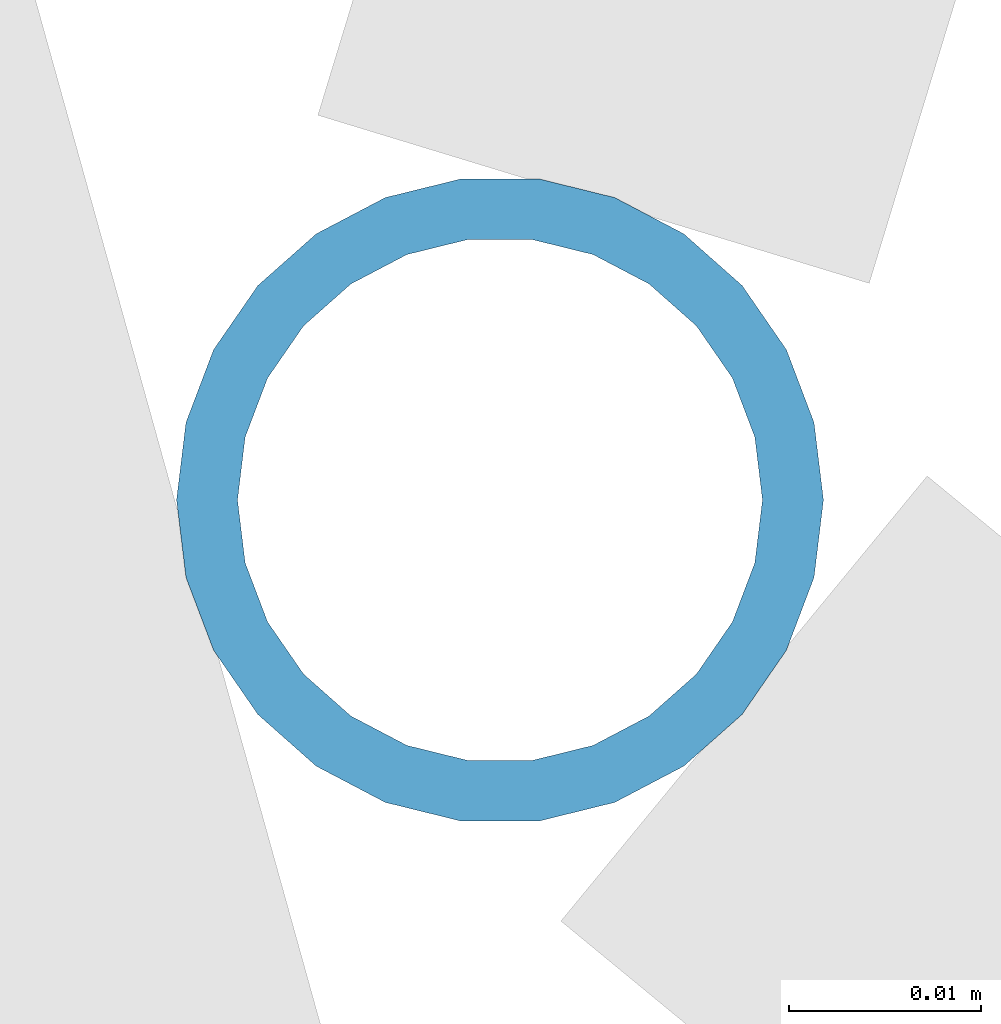
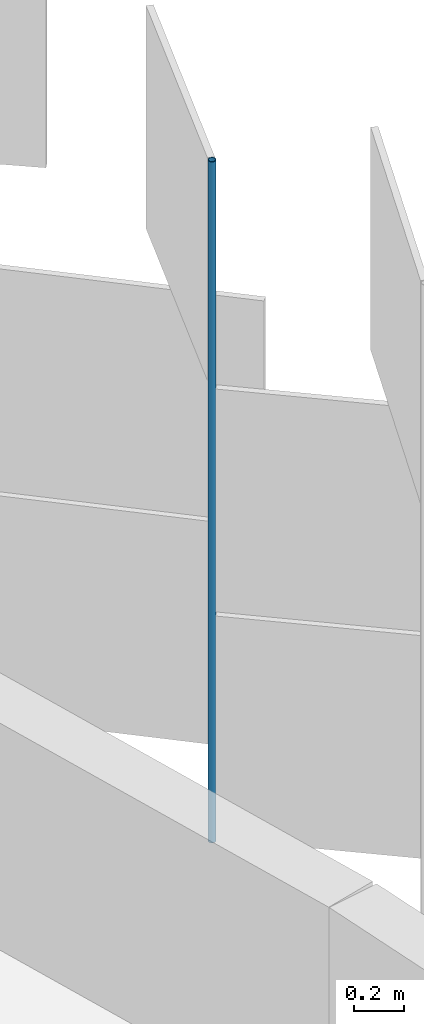
# One storey, part 122 of 198: 1 discrete accessory.
"""IFC4 building model written with IfcOpenShell, lengths in metres."""

from ifc_helpers import new_model, si_unit, direction, frame, origin, origin_2d, place, context, subcontext, project, spatial, hollow_circle, extrude, material, material_profile, profile_set, type_object, element, save


model = new_model("IFC4")

# Units and contexts
model_context = context("Model", 3, precision=1e-05, world=origin(), true_north=direction((0.0, 1.0)))
body_context = subcontext(model_context, "Body", "Model", "MODEL_VIEW")
ifc_project = project(units=[si_unit("LENGTHUNIT", "METRE"), si_unit("AREAUNIT", "SQUARE_METRE"), si_unit("VOLUMEUNIT", "CUBIC_METRE"), si_unit("PLANEANGLEUNIT", "RADIAN"), si_unit("MASSUNIT", "GRAM", prefix="KILO")], contexts=[model_context])

# Site, building, storey
site_placement = place(None, origin())
site = spatial("IfcSite", under=ifc_project, at=site_placement, CompositionType="ELEMENT")
building_placement = place(site_placement, origin())
building = spatial("IfcBuilding", under=site, at=building_placement, Name="Parallax Yard Mobility Hub", CompositionType="ELEMENT")
storey_placement = place(building_placement, frame((0.0, 0.0, 6.60009765625)))
storey = spatial("IfcBuildingStorey", under=building, at=storey_placement, Name="L02", CompositionType="ELEMENT", Elevation=6.60009765625)

# Discrete accessory
ifc_material = material(Name="Steel ASTM A500 Gr C, hot-dip galvanised", Category="steel")
ifc_material_profile = material_profile(ifc_material, hollow_circle(Radius=0.016845703125, WallThickness=0.003173828125, at=origin_2d()), Name="CHS 33.7x3.2")
ifc_profile_set = profile_set([ifc_material_profile], Name="Steel ASTM A500 Gr C, hot-dip galvanised")
discrete_accessory_type = type_object("IfcDiscreteAccessoryType", Name="Hinge post CHS 33.7x3.2", PredefinedType="BRACKET", material=ifc_profile_set)
discrete_accessory_placement = place(storey_placement, frame((223.896728515625, 104.18603515625, 0.0), z_axis=(0.0, 0.0, 1.0), x_axis=(1.0, 0.0, 0.0)))
element("IfcDiscreteAccessory", 1, at=discrete_accessory_placement, inside=storey, type_object=discrete_accessory_type, Name="Hinge post bay 42.6 level L02", PredefinedType="BRACKET", context=body_context, shape_type="SweptSolid", body=[
    extrude(hollow_circle(Radius=0.016845703125, WallThickness=0.003173828125, at=origin_2d()), origin(), (0.0, 0.0, 1.0), 3.2998046875),
])

save(model, "model.ifc")
